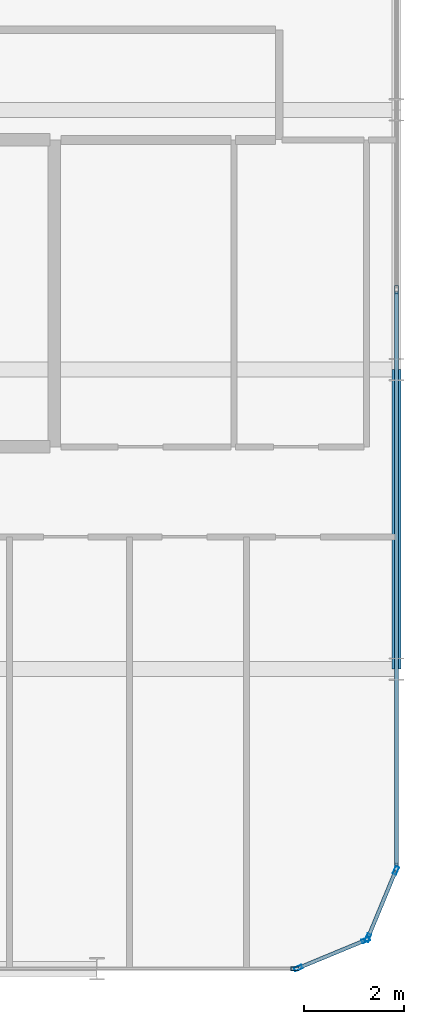
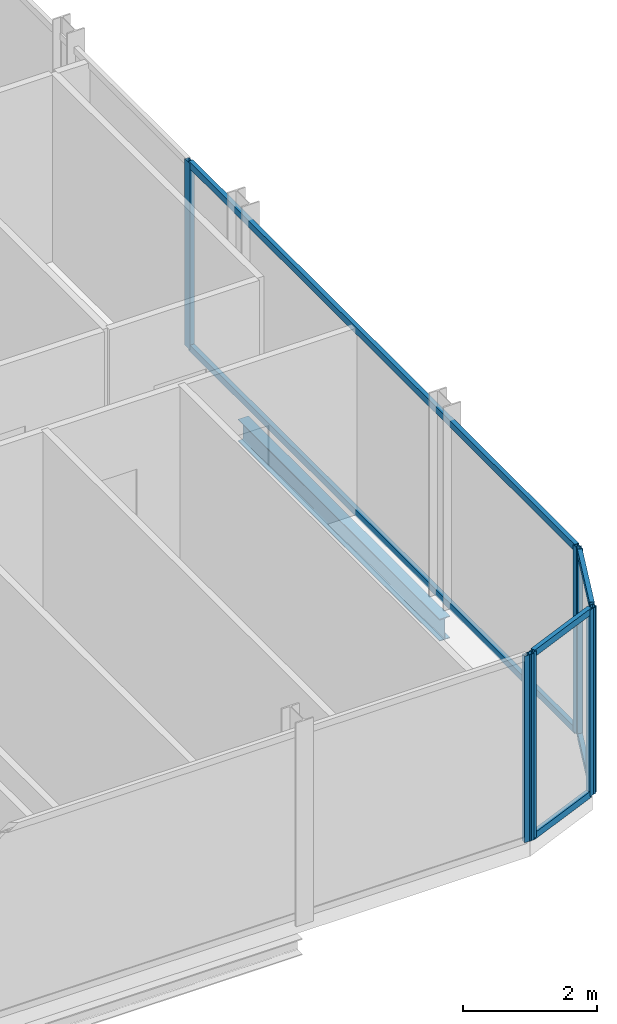
# One storey, part 12 of 29: 13 members, 1 beam, 4 elements without a shape of their own.
"""IFC4 building model written with IfcOpenShell, lengths in metres."""

from ifc_helpers import new_model, si_unit, direction, frame, origin, origin_2d, place, context, subcontext, project, spatial, hollow_rectangle, i_section, extrude, material, layer, layer_set, material_profile, profile_set, type_object, element, aggregate, save


model = new_model("IFC4")

# Units and contexts
model_context = context("Model", 3, precision=1e-05, world=origin(), true_north=direction((0.0, 1.0)))
body_context = subcontext(model_context, "Body", "Model", "MODEL_VIEW")
ifc_project = project(units=[si_unit("LENGTHUNIT", "METRE"), si_unit("AREAUNIT", "SQUARE_METRE"), si_unit("VOLUMEUNIT", "CUBIC_METRE"), si_unit("PLANEANGLEUNIT", "RADIAN"), si_unit("MASSUNIT", "GRAM", prefix="KILO")], contexts=[model_context])

# Site, building, storey
site_placement = place(None, origin())
site = spatial("IfcSite", under=ifc_project, at=site_placement, CompositionType="ELEMENT")
building_placement = place(site_placement, origin())
building = spatial("IfcBuilding", under=site, at=building_placement, Name="Keshet Zoharim Tower", CompositionType="ELEMENT")
storey_placement = place(building_placement, frame((0.0, 0.0, 169.10009765625)))
storey = spatial("IfcBuildingStorey", under=building, at=storey_placement, Name="L41", CompositionType="ELEMENT", Elevation=169.10009765625)

# Beam
ifc_material_1 = material(Name="Steel S355", Category="steel")
ifc_material_profile_1 = material_profile(ifc_material_1, i_section(OverallWidth=0.179931640625, OverallDepth=0.39990234375, WebThickness=0.008544921875, FlangeThickness=0.013427734375, FilletRadius=0.02099609375, at=origin_2d()), Name="IPE400")
ifc_profile_set_1 = profile_set([ifc_material_profile_1], Name="Steel S355")
beam_type = type_object("IfcBeamType", Name="BM-PRI-IP400", PredefinedType="BEAM", material=ifc_profile_set_1)
beam_placement = place(storey_placement, frame((57.0, 6.699951171875, -0.510009765625), z_axis=(0.0, 1.0, 0.0), x_axis=(-1.0, 0.0, 0.0)))
element("IfcBeam", 1, at=beam_placement, inside=storey, type_object=beam_type, Name="L41 Primary Girder Y-013", PredefinedType="BEAM", context=body_context, shape_type="SweptSolid", body=[
    extrude(i_section(OverallWidth=0.179931640625, OverallDepth=0.39990234375, WebThickness=0.008544921875, FlangeThickness=0.013427734375, FilletRadius=0.02099609375, at=origin_2d()), origin(), (0.0, 0.0, 1.0), 6.0),
])

# Curtain wall, members
ifc_material_2 = material(Name="Aluminium 6063-T6", Category="aluminium")
ifc_layer = layer(ifc_material_2, 0.139892578125)
ifc_layer_set = layer_set([ifc_layer], Name="Aluminium 6063-T6")
curtain_wall_type = type_object("IfcCurtainWallType", Name="CW-SYS-05", PredefinedType="NOTDEFINED", material=ifc_layer_set)
curtain_wall_1_placement = place(storey_placement, origin())
curtain_wall_1 = element("IfcCurtainWall", 2, at=curtain_wall_1_placement, inside=storey, type_object=curtain_wall_type, Name="L41 Unitised Curtain Wall 03", PredefinedType="NOTDEFINED")
ifc_material_profile_2 = material_profile(ifc_material_2, hollow_rectangle(XDim=0.074951171875, YDim=0.159912109375, WallThickness=0.00390625, at=origin_2d()), Name="MUL-75x160")
ifc_profile_set_2 = profile_set([ifc_material_profile_2], Name="Aluminium 6063-T6")
member_type_1 = type_object("IfcMemberType", Name="CWM-M15", PredefinedType="MULLION", material=ifc_profile_set_2)
member_1_placement = place(storey_placement, frame((57.0, 14.300048828125, 0.0), z_axis=(0.0, 0.0, 1.0), x_axis=(1.0, 0.0, 0.0)))
member_1 = element("IfcMember", 3, at=member_1_placement, type_object=member_type_1, Name="CW-05 mullion 2", PredefinedType="MULLION", context=body_context, shape_type="SweptSolid", body=[
    extrude(hollow_rectangle(XDim=0.074951171875, YDim=0.159912109375, WallThickness=0.00390625, at=origin_2d()), origin(), (0.0, 0.0, 1.0), 3.389892578125),
])
member_2_placement = place(storey_placement, frame((57.0, 2.735107421875, 0.0), z_axis=(0.0, 0.0, 1.0), x_axis=(1.0, 0.0, 0.0)))
member_2 = element("IfcMember", 4, at=member_2_placement, type_object=member_type_1, Name="CW-05 mullion 3", PredefinedType="MULLION", context=body_context, shape_type="SweptSolid", body=[
    extrude(hollow_rectangle(XDim=0.074951171875, YDim=0.159912109375, WallThickness=0.00390625, at=origin_2d()), origin(), (0.0, 0.0, 1.0), 3.389892578125),
])

curtain_wall_2_placement = place(storey_placement, origin())
curtain_wall_2 = element("IfcCurtainWall", 5, at=curtain_wall_2_placement, inside=storey, type_object=curtain_wall_type, Name="L41 Unitised Curtain Wall 04", PredefinedType="NOTDEFINED")
member_3_placement = place(storey_placement, frame((56.986572265625, 2.667724609375, 0.0), z_axis=(0.0, 0.0, 1.0), x_axis=(0.92380975372, -0.382851849847, 0.0)))
member_3 = element("IfcMember", 6, at=member_3_placement, type_object=member_type_1, Name="CW-05 mullion 1", PredefinedType="MULLION", context=body_context, shape_type="SweptSolid", body=[
    extrude(hollow_rectangle(XDim=0.074951171875, YDim=0.159912109375, WallThickness=0.00390625, at=origin_2d()), origin(), (0.0, 0.0, 1.0), 3.389892578125),
])
member_4_placement = place(storey_placement, frame((56.427490234375, 1.318359375, 0.0), z_axis=(0.0, 0.0, 1.0), x_axis=(0.92380975372, -0.382851849847, 0.0)))
member_4 = element("IfcMember", 7, at=member_4_placement, type_object=member_type_1, Name="CW-05 mullion 2", PredefinedType="MULLION", context=body_context, shape_type="SweptSolid", body=[
    extrude(hollow_rectangle(XDim=0.074951171875, YDim=0.159912109375, WallThickness=0.00390625, at=origin_2d()), origin(), (0.0, 0.0, 1.0), 3.389892578125),
])

curtain_wall_3_placement = place(storey_placement, origin())
curtain_wall_3 = element("IfcCurtainWall", 8, at=curtain_wall_3_placement, inside=storey, type_object=curtain_wall_type, Name="L41 Unitised Curtain Wall 05", PredefinedType="NOTDEFINED")
member_5_placement = place(storey_placement, frame((56.381591796875, 1.272705078125, 0.0), z_axis=(0.0, 0.0, 1.0), x_axis=(0.382851849847, -0.92380975372, 0.0)))
member_5 = element("IfcMember", 9, at=member_5_placement, type_object=member_type_1, Name="CW-05 mullion 1", PredefinedType="MULLION", context=body_context, shape_type="SweptSolid", body=[
    extrude(hollow_rectangle(XDim=0.074951171875, YDim=0.159912109375, WallThickness=0.00390625, at=origin_2d()), origin(), (0.0, 0.0, 1.0), 3.389892578125),
])
member_6_placement = place(storey_placement, frame((55.0322265625, 0.71337890625, 0.0), z_axis=(0.0, 0.0, 1.0), x_axis=(0.382851849847, -0.92380975372, 0.0)))
member_6 = element("IfcMember", 10, at=member_6_placement, type_object=member_type_1, Name="CW-05 mullion 2", PredefinedType="MULLION", context=body_context, shape_type="SweptSolid", body=[
    extrude(hollow_rectangle(XDim=0.074951171875, YDim=0.159912109375, WallThickness=0.00390625, at=origin_2d()), origin(), (0.0, 0.0, 1.0), 3.389892578125),
])

# Curtain wall, member
curtain_wall_4_placement = place(storey_placement, origin())
curtain_wall_4 = element("IfcCurtainWall", 11, at=curtain_wall_4_placement, inside=storey, type_object=curtain_wall_type, Name="L41 Unitised Curtain Wall 06", PredefinedType="NOTDEFINED")
member_7_placement = place(storey_placement, frame((54.965087890625, 0.699951171875, 0.0), z_axis=(0.0, 0.0, 1.0), x_axis=(0.0, -1.0, 0.0)))
member_7 = element("IfcMember", 12, at=member_7_placement, type_object=member_type_1, Name="CW-05 mullion 1", PredefinedType="MULLION", context=body_context, shape_type="SweptSolid", body=[
    extrude(hollow_rectangle(XDim=0.074951171875, YDim=0.159912109375, WallThickness=0.00390625, at=origin_2d()), origin(), (0.0, 0.0, 1.0), 3.389892578125),
])
aggregate(curtain_wall_4, [member_7])

# Member
ifc_material_profile_3 = material_profile(ifc_material_2, hollow_rectangle(XDim=0.074951171875, YDim=0.1201171875, WallThickness=0.00390625, at=origin_2d()), Name="TRN-75x120")
ifc_profile_set_3 = profile_set([ifc_material_profile_3], Name="Aluminium 6063-T6")
member_type_2 = type_object("IfcMemberType", Name="CWT-T12", PredefinedType="USERDEFINED", material=ifc_profile_set_3)
member_8_placement = place(storey_placement, frame((57.0, 14.264892578125, 0.034912109375), z_axis=(0.0, -1.0, 0.0), x_axis=(1.0, 0.0, 0.0)))
member_8 = element("IfcMember", 13, at=member_8_placement, type_object=member_type_2, Name="CW-05 transom 2.1", ObjectType="TRANSOM", PredefinedType="USERDEFINED", context=body_context, shape_type="SweptSolid", body=[
    extrude(hollow_rectangle(XDim=0.074951171875, YDim=0.1201171875, WallThickness=0.00390625, at=origin_2d()), origin(), (0.0, 0.0, 1.0), 11.494873046875),
])

member_9_placement = place(storey_placement, frame((57.0, 14.264892578125, 3.35498046875), z_axis=(0.0, -1.0, 0.0), x_axis=(1.0, 0.0, 0.0)))
member_9 = element("IfcMember", 14, at=member_9_placement, type_object=member_type_2, Name="CW-05 transom 2.2", ObjectType="TRANSOM", PredefinedType="USERDEFINED", context=body_context, shape_type="SweptSolid", body=[
    extrude(hollow_rectangle(XDim=0.074951171875, YDim=0.1201171875, WallThickness=0.00390625, at=origin_2d()), origin(), (0.0, 0.0, 1.0), 11.494873046875),
])

aggregate(curtain_wall_1, [member_1, member_2, member_8, member_9])

member_10_placement = place(storey_placement, frame((56.97314453125, 2.63525390625, 0.034912109375), z_axis=(-0.382744609247, -0.923854189844, 0.0), x_axis=(0.923854189844, -0.382744609247, 0.0)))
member_10 = element("IfcMember", 15, at=member_10_placement, type_object=member_type_2, Name="CW-05 transom 1.1", ObjectType="TRANSOM", PredefinedType="USERDEFINED", context=body_context, shape_type="SweptSolid", body=[
    extrude(hollow_rectangle(XDim=0.074951171875, YDim=0.1201171875, WallThickness=0.00390625, at=origin_2d()), origin(), (0.0, 0.0, 1.0), 1.390625),
])

member_11_placement = place(storey_placement, frame((56.97314453125, 2.63525390625, 3.35498046875), z_axis=(-0.382744609247, -0.923854189844, 0.0), x_axis=(0.923854189844, -0.382744609247, 0.0)))
member_11 = element("IfcMember", 16, at=member_11_placement, type_object=member_type_2, Name="CW-05 transom 1.2", ObjectType="TRANSOM", PredefinedType="USERDEFINED", context=body_context, shape_type="SweptSolid", body=[
    extrude(hollow_rectangle(XDim=0.074951171875, YDim=0.1201171875, WallThickness=0.00390625, at=origin_2d()), origin(), (0.0, 0.0, 1.0), 1.390625),
])

aggregate(curtain_wall_2, [member_3, member_4, member_10, member_11])

member_12_placement = place(storey_placement, frame((56.349365234375, 1.25927734375, 0.034912109375), z_axis=(-0.92379209995, -0.382894445076, 0.0), x_axis=(0.382894445076, -0.92379209995, 0.0)))
member_12 = element("IfcMember", 17, at=member_12_placement, type_object=member_type_2, Name="CW-05 transom 1.1", ObjectType="TRANSOM", PredefinedType="USERDEFINED", context=body_context, shape_type="SweptSolid", body=[
    extrude(hollow_rectangle(XDim=0.074951171875, YDim=0.1201171875, WallThickness=0.00390625, at=origin_2d()), origin(), (0.0, 0.0, 1.0), 1.390625),
])

member_13_placement = place(storey_placement, frame((56.349365234375, 1.25927734375, 3.35498046875), z_axis=(-0.92379209995, -0.382894445076, 0.0), x_axis=(0.382894445076, -0.92379209995, 0.0)))
member_13 = element("IfcMember", 18, at=member_13_placement, type_object=member_type_2, Name="CW-05 transom 1.2", ObjectType="TRANSOM", PredefinedType="USERDEFINED", context=body_context, shape_type="SweptSolid", body=[
    extrude(hollow_rectangle(XDim=0.074951171875, YDim=0.1201171875, WallThickness=0.00390625, at=origin_2d()), origin(), (0.0, 0.0, 1.0), 1.390625),
])

aggregate(curtain_wall_3, [member_5, member_6, member_12, member_13])

save(model, "model.ifc")
